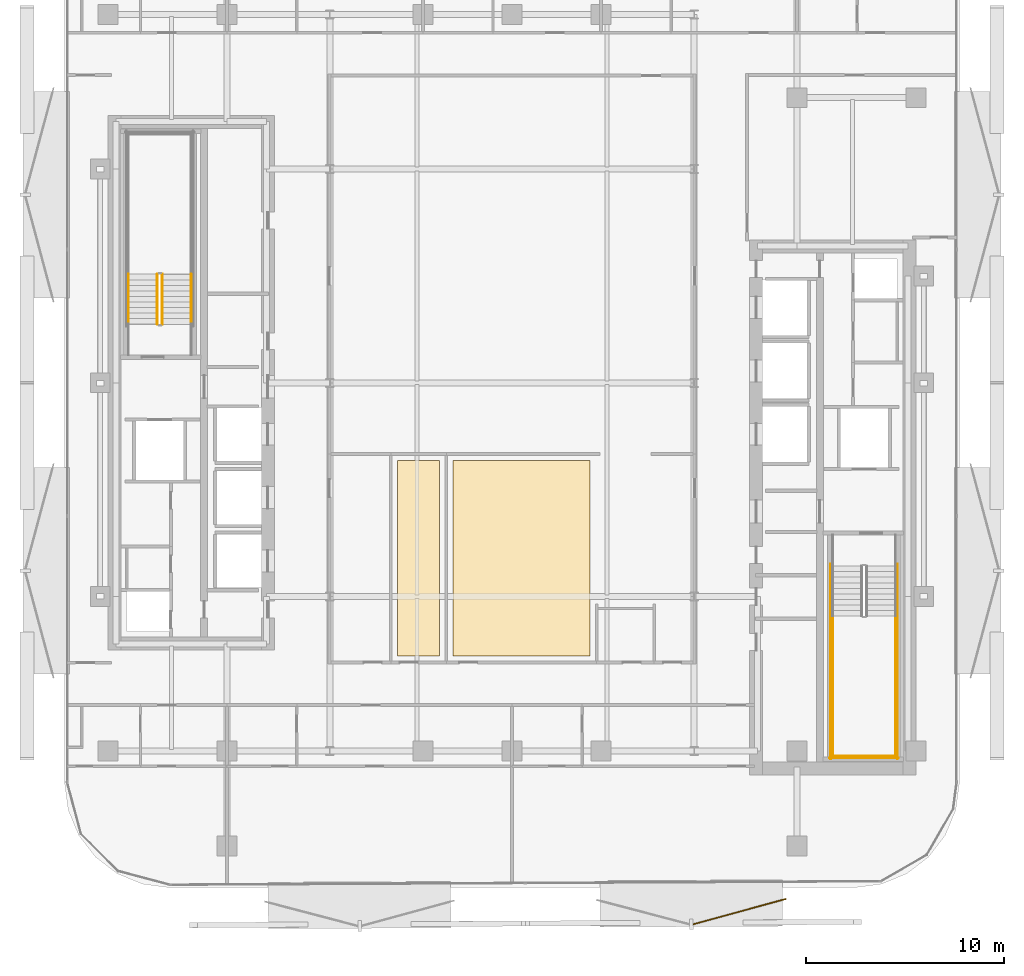
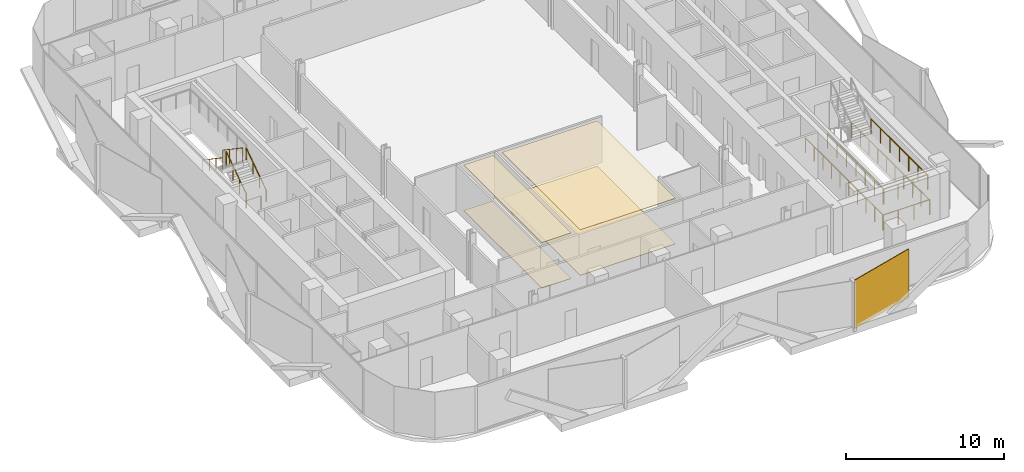
# One storey, part 14 of 17: 10 railings, 5 coverings.
"""IFC4 building model written with IfcOpenShell, lengths in metres."""

from ifc_helpers import new_model, si_unit, direction, frame, origin, origin_2d, place, context, subcontext, project, spatial, polyline, rectangle, circle, outline, extrude, material, layer, layer_set, type_object, element, save


model = new_model("IFC4")

# Units and contexts
model_context = context("Model", 3, precision=1e-05, world=origin(), true_north=direction((0.0, 1.0)))
body_context = subcontext(model_context, "Body", "Model", "MODEL_VIEW")
ifc_project = project(units=[si_unit("LENGTHUNIT", "METRE"), si_unit("AREAUNIT", "SQUARE_METRE"), si_unit("VOLUMEUNIT", "CUBIC_METRE"), si_unit("PLANEANGLEUNIT", "RADIAN"), si_unit("MASSUNIT", "GRAM", prefix="KILO")], contexts=[model_context])

# Site, building, storey
site_placement = place(None, origin())
site = spatial("IfcSite", under=ifc_project, at=site_placement, CompositionType="ELEMENT")
building_placement = place(site_placement, origin())
building = spatial("IfcBuilding", under=site, at=building_placement, Name="Khairoan Windgate Tower", CompositionType="ELEMENT")
storey_placement = place(building_placement, frame((0.0, 0.0, 168.800048828125)))
storey = spatial("IfcBuildingStorey", under=building, at=storey_placement, Name="L38", CompositionType="ELEMENT", Elevation=168.800048828125)

# Coverings
ifc_material_1 = material(Name="Engineered Teak Timber", Category="wood")
ifc_layer_1 = layer(ifc_material_1, 0.0400390625, Name="Engineered Teak Timber")
ifc_layer_set_1 = layer_set([ifc_layer_1], Name="Engineered Teak Timber")
covering_type_1 = type_object("IfcCoveringType", Name="Engineered Teak Residence Flooring", PredefinedType="FLOORING", material=ifc_layer_set_1)
covering_1_placement = place(storey_placement, origin())
element("IfcCovering", 1, at=covering_1_placement, inside=storey, type_object=covering_type_1, Name="L38 L38 Hotel Valet Office Finish Flooring", PredefinedType="FLOORING", context=body_context, shape_type="SweptSolid", body=[
    extrude(outline(polyline([(-5.7900390625, -3.929931640625), (-3.64990234375, -3.929931640625), (-3.64990234375, -13.7900390625), (-5.7900390625, -13.7900390625), (-5.7900390625, -3.929931640625)])), origin(), (0.0, 0.0, 1.0), 0.0400390625),
])
covering_2_placement = place(storey_placement, origin())
element("IfcCovering", 2, at=covering_2_placement, inside=storey, type_object=covering_type_1, Name="L38 L38 Room-Service Culinary Kitchen Finish Flooring", PredefinedType="FLOORING", context=body_context, shape_type="SweptSolid", body=[
    extrude(outline(polyline([(-2.989990234375, -3.929931640625), (3.949951171875, -3.929931640625), (3.949951171875, -13.7900390625), (-2.989990234375, -13.7900390625), (-2.989990234375, -3.929931640625)])), origin(), (0.0, 0.0, 1.0), 0.0400390625),
])
ifc_material_2 = material(Name="Acoustic Mineral Fibre Ceiling", Category="gypsum")
ifc_layer_2 = layer(ifc_material_2, 0.0400390625, Name="Acoustic Mineral Fibre Ceiling")
ifc_layer_set_2 = layer_set([ifc_layer_2], Name="Acoustic Mineral Fibre Ceiling")
covering_type_2 = type_object("IfcCoveringType", Name="Flush Acoustic Mineral Ceiling Panel", PredefinedType="CEILING", material=ifc_layer_set_2)
covering_3_placement = place(storey_placement, frame((0.0, 0.0, 3.5)))
element("IfcCovering", 3, at=covering_3_placement, inside=storey, type_object=covering_type_2, Name="L38 L38 Hotel Valet Office Acoustic Ceiling", PredefinedType="CEILING", context=body_context, shape_type="SweptSolid", body=[
    extrude(outline(polyline([(-5.7900390625, -3.929931640625), (-3.64990234375, -3.929931640625), (-3.64990234375, -13.7900390625), (-5.7900390625, -13.7900390625), (-5.7900390625, -3.929931640625)])), origin(), (0.0, 0.0, 1.0), 0.0400390625),
])
covering_4_placement = place(storey_placement, frame((0.0, 0.0, 3.5)))
element("IfcCovering", 4, at=covering_4_placement, inside=storey, type_object=covering_type_2, Name="L38 L38 Room-Service Culinary Kitchen Acoustic Ceiling", PredefinedType="CEILING", context=body_context, shape_type="SweptSolid", body=[
    extrude(outline(polyline([(-2.989990234375, -3.929931640625), (3.949951171875, -3.929931640625), (3.949951171875, -13.7900390625), (-2.989990234375, -13.7900390625), (-2.989990234375, -3.929931640625)])), origin(), (0.0, 0.0, 1.0), 0.0400390625),
])
ifc_material_3 = material(Name="Anodised Bronze Aluminium 6063-T6", Category="aluminium")
ifc_layer_3 = layer(ifc_material_3, 0.054931640625, Name="Anodised Bronze Aluminium 6063-T6")
ifc_layer_set_3 = layer_set([ifc_layer_3], Name="Anodised Bronze Aluminium 6063-T6")
covering_type_3 = type_object("IfcCoveringType", Name="Perforated Bronze-Ceramic Folded Solar Screen Cladding BSC-1", PredefinedType="CLADDING", material=ifc_layer_set_3)
covering_5_placement = place(storey_placement, frame((11.498779296875, -26.708984375, -0.10009765625), z_axis=(0.0, 0.0, 1.0), x_axis=(-0.964649468762, -0.263536339841, 0.0)))
element("IfcCovering", 5, at=covering_5_placement, inside=storey, type_object=covering_type_3, Name="L38 Folded Bronze Solar Screen Facet 241L", PredefinedType="CLADDING", context=body_context, shape_type="SweptSolid", body=[
    extrude(rectangle(XDim=4.861083984375, YDim=0.054931640625, at=origin_2d()), origin(), (0.0, 0.0, 1.0), 3.739990234375),
])

# Railings
ifc_material_4 = material(Name="Anodised Bronze Aluminium 6063-T6", Category="aluminium")
railing_type_1 = type_object("IfcRailingType", Name="Stair Wall Handrail SHR-900", PredefinedType="HANDRAIL", material=ifc_material_4)
railing_1_placement = place(storey_placement, frame((-16.199951171875, 2.9599609375, 0.18994140625)))
element("IfcRailing", 6, at=railing_1_placement, inside=storey, type_object=railing_type_1, Name="L38 ST2 stair handrail 1", PredefinedType="HANDRAIL", context=body_context, shape_type="SweptSolid", body=[
    extrude(circle(Radius=0.02392578125, at=origin_2d()), frame((0.0, 0.0, 0.8759765625), z_axis=(0.0, 0.827483756001, 0.561489655786), x_axis=(-1.0, 0.0, 0.0)), (0.0, 0.0, 1.0), 3.04541015625),
    extrude(circle(Radius=0.02099609375, at=origin_2d()), origin(), (0.0, 0.0, 1.0), 0.851806640625),
    extrude(circle(Radius=0.02099609375, at=origin_2d()), frame((0.0, 0.840087890625, 0.570068359375)), (0.0, 0.0, 1.0), 0.851806640625),
    extrude(circle(Radius=0.02099609375, at=origin_2d()), frame((0.0, 1.679931640625, 1.139892578125)), (0.0, 0.0, 1.0), 0.851806640625),
    extrude(circle(Radius=0.02099609375, at=origin_2d()), frame((0.0, 2.52001953125, 1.7099609375)), (0.0, 0.0, 1.0), 0.851806640625),
])
railing_2_placement = place(storey_placement, frame((-19.3701171875, 5.47998046875, 2.08984375)))
element("IfcRailing", 7, at=railing_2_placement, inside=storey, type_object=railing_type_1, Name="L38 ST2 stair handrail 2", PredefinedType="HANDRAIL", context=body_context, shape_type="SweptSolid", body=[
    extrude(circle(Radius=0.02392578125, at=origin_2d()), frame((0.0, 0.0, 0.8759765625), z_axis=(0.0, -0.82744650838, 0.561544544778), x_axis=(1.0, 0.0, 0.0)), (0.0, 0.0, 1.0), 3.045654296875),
    extrude(circle(Radius=0.02099609375, at=origin_2d()), origin(), (0.0, 0.0, 1.0), 0.851806640625),
    extrude(circle(Radius=0.02099609375, at=origin_2d()), frame((0.0, -0.840087890625, 0.570068359375)), (0.0, 0.0, 1.0), 0.851806640625),
    extrude(circle(Radius=0.02099609375, at=origin_2d()), frame((0.0, -1.679931640625, 1.14013671875)), (0.0, 0.0, 1.0), 0.851806640625),
    extrude(circle(Radius=0.02099609375, at=origin_2d()), frame((0.0, -2.52001953125, 1.710205078125)), (0.0, 0.0, 1.0), 0.851806640625),
])
ifc_material_5 = material(Name="Steel S355", Category="steel")
railing_type_2 = type_object("IfcRailingType", Name="Stairwell Safety Guardrail SGR-1150", PredefinedType="GUARDRAIL", material=ifc_material_5)
for number, where, name in (
    (8, (16.199951171875, -11.780029296875, 1.89990234375), "L38 ST1 stair guard 3"),
    (9, (19.3701171875, -11.780029296875, 1.89990234375), "L38 ST1 stair guard 4"),
):
    element("IfcRailing", number, at=place(storey_placement, frame(where)), inside=storey, type_object=railing_type_2, Name=name, PredefinedType="GUARDRAIL", context=body_context, shape_type="SweptSolid", body=[
        extrude(circle(Radius=0.02392578125, at=origin_2d()), frame((0.0, 0.0, 1.1259765625), z_axis=(0.0, -1.0, 0.0), x_axis=(1.0, 0.0, 0.0)), (0.0, 0.0, 1.0), 7.119873046875),
        extrude(circle(Radius=0.02099609375, at=origin_2d()), origin(), (0.0, 0.0, 1.0), 1.101806640625),
        extrude(circle(Radius=0.02099609375, at=origin_2d()), frame((0.0, -1.1865234375, 0.0)), (0.0, 0.0, 1.0), 1.101806640625),
        extrude(circle(Radius=0.02099609375, at=origin_2d()), frame((0.0, -2.373291015625, 0.0)), (0.0, 0.0, 1.0), 1.101806640625),
        extrude(circle(Radius=0.02099609375, at=origin_2d()), frame((0.0, -3.56005859375, 0.0)), (0.0, 0.0, 1.0), 1.101806640625),
        extrude(circle(Radius=0.02099609375, at=origin_2d()), frame((0.0, -4.74658203125, 0.0)), (0.0, 0.0, 1.0), 1.101806640625),
        extrude(circle(Radius=0.02099609375, at=origin_2d()), frame((0.0, -5.93310546875, 0.0)), (0.0, 0.0, 1.0), 1.101806640625),
        extrude(circle(Radius=0.02099609375, at=origin_2d()), frame((0.0, -7.119873046875, 0.0)), (0.0, 0.0, 1.0), 1.101806640625),
    ])
railing_3_placement = place(storey_placement, frame((16.14990234375, -18.85009765625, 1.89990234375)))
element("IfcRailing", 10, at=railing_3_placement, inside=storey, type_object=railing_type_2, Name="L38 ST1 stair guard 5", PredefinedType="GUARDRAIL", context=body_context, shape_type="SweptSolid", body=[
    extrude(circle(Radius=0.02392578125, at=origin_2d()), frame((0.0, 0.0, 1.1259765625), z_axis=(1.0, 0.0, 0.0), x_axis=(0.0, 1.0, 0.0)), (0.0, 0.0, 1.0), 3.27001953125),
    extrude(circle(Radius=0.02099609375, at=origin_2d()), origin(), (0.0, 0.0, 1.0), 1.101806640625),
    extrude(circle(Radius=0.02099609375, at=origin_2d()), frame((1.090087890625, 0.0, 0.0)), (0.0, 0.0, 1.0), 1.101806640625),
    extrude(circle(Radius=0.02099609375, at=origin_2d()), frame((2.179931640625, 0.0, 0.0)), (0.0, 0.0, 1.0), 1.101806640625),
    extrude(circle(Radius=0.02099609375, at=origin_2d()), frame((3.27001953125, 0.0, 0.0)), (0.0, 0.0, 1.0), 1.101806640625),
])
for number, where, name in (
    (11, (16.10009765625, -9.159912109375, 0.0), "L38 ST1 stair guard 10"),
    (12, (19.469970703125, -9.159912109375, 0.0), "L38 ST1 stair guard 11"),
):
    element("IfcRailing", number, at=place(storey_placement, frame(where)), inside=storey, type_object=railing_type_2, Name=name, PredefinedType="GUARDRAIL", context=body_context, shape_type="SweptSolid", body=[
        extrude(circle(Radius=0.02392578125, at=origin_2d()), frame((0.0, 0.0, 1.1259765625), z_axis=(0.0, -1.0, 0.0), x_axis=(1.0, 0.0, 0.0)), (0.0, 0.0, 1.0), 9.840087890625),
        extrude(circle(Radius=0.02099609375, at=origin_2d()), origin(), (0.0, 0.0, 1.0), 1.101806640625),
        extrude(circle(Radius=0.02099609375, at=origin_2d()), frame((0.0, -1.09326171875, 0.0)), (0.0, 0.0, 1.0), 1.101806640625),
        extrude(circle(Radius=0.02099609375, at=origin_2d()), frame((0.0, -2.186767578125, 0.0)), (0.0, 0.0, 1.0), 1.101806640625),
        extrude(circle(Radius=0.02099609375, at=origin_2d()), frame((0.0, -3.280029296875, 0.0)), (0.0, 0.0, 1.0), 1.101806640625),
        extrude(circle(Radius=0.02099609375, at=origin_2d()), frame((0.0, -4.373291015625, 0.0)), (0.0, 0.0, 1.0), 1.101806640625),
        extrude(circle(Radius=0.02099609375, at=origin_2d()), frame((0.0, -5.466796875, 0.0)), (0.0, 0.0, 1.0), 1.101806640625),
        extrude(circle(Radius=0.02099609375, at=origin_2d()), frame((0.0, -6.56005859375, 0.0)), (0.0, 0.0, 1.0), 1.101806640625),
        extrude(circle(Radius=0.02099609375, at=origin_2d()), frame((0.0, -7.6533203125, 0.0)), (0.0, 0.0, 1.0), 1.101806640625),
        extrude(circle(Radius=0.02099609375, at=origin_2d()), frame((0.0, -8.746826171875, 0.0)), (0.0, 0.0, 1.0), 1.101806640625),
        extrude(circle(Radius=0.02099609375, at=origin_2d()), frame((0.0, -9.840087890625, 0.0)), (0.0, 0.0, 1.0), 1.101806640625),
    ])
railing_4_placement = place(storey_placement, frame((16.050048828125, -18.949951171875, 0.0)))
element("IfcRailing", 13, at=railing_4_placement, inside=storey, type_object=railing_type_2, Name="L38 ST1 stair guard 12", PredefinedType="GUARDRAIL", context=body_context, shape_type="SweptSolid", body=[
    extrude(circle(Radius=0.02392578125, at=origin_2d()), frame((0.0, 0.0, 1.1259765625), z_axis=(1.0, 0.0, 0.0), x_axis=(0.0, 1.0, 0.0)), (0.0, 0.0, 1.0), 3.469970703125),
    extrude(circle(Radius=0.02099609375, at=origin_2d()), origin(), (0.0, 0.0, 1.0), 1.101806640625),
    extrude(circle(Radius=0.02099609375, at=origin_2d()), frame((1.15673828125, 0.0, 0.0)), (0.0, 0.0, 1.0), 1.101806640625),
    extrude(circle(Radius=0.02099609375, at=origin_2d()), frame((2.313232421875, 0.0, 0.0)), (0.0, 0.0, 1.0), 1.101806640625),
    extrude(circle(Radius=0.02099609375, at=origin_2d()), frame((3.469970703125, 0.0, 0.0)), (0.0, 0.0, 1.0), 1.101806640625),
])
railing_5_placement = place(storey_placement, frame((-17.659912109375, 2.9599609375, 0.18994140625)))
element("IfcRailing", 14, at=railing_5_placement, inside=storey, type_object=railing_type_2, Name="L38 ST2 stair guard 1", PredefinedType="GUARDRAIL", context=body_context, shape_type="SweptSolid", body=[
    extrude(circle(Radius=0.02392578125, at=origin_2d()), frame((0.0, 0.0, 1.1259765625), z_axis=(0.0, 0.827483756001, 0.561489655786), x_axis=(-1.0, 0.0, 0.0)), (0.0, 0.0, 1.0), 3.04541015625),
    extrude(circle(Radius=0.02099609375, at=origin_2d()), origin(), (0.0, 0.0, 1.0), 1.101806640625),
    extrude(circle(Radius=0.02099609375, at=origin_2d()), frame((0.0, 0.840087890625, 0.570068359375)), (0.0, 0.0, 1.0), 1.101806640625),
    extrude(circle(Radius=0.02099609375, at=origin_2d()), frame((0.0, 1.679931640625, 1.139892578125)), (0.0, 0.0, 1.0), 1.101806640625),
    extrude(circle(Radius=0.02099609375, at=origin_2d()), frame((0.0, 2.52001953125, 1.7099609375)), (0.0, 0.0, 1.0), 1.101806640625),
])
railing_6_placement = place(storey_placement, frame((-17.909912109375, 5.47998046875, 2.08984375)))
element("IfcRailing", 15, at=railing_6_placement, inside=storey, type_object=railing_type_2, Name="L38 ST2 stair guard 6", PredefinedType="GUARDRAIL", context=body_context, shape_type="SweptSolid", body=[
    extrude(circle(Radius=0.02392578125, at=origin_2d()), frame((0.0, 0.0, 1.1259765625), z_axis=(0.0, -0.82744650838, 0.561544544778), x_axis=(1.0, 0.0, 0.0)), (0.0, 0.0, 1.0), 3.045654296875),
    extrude(circle(Radius=0.02099609375, at=origin_2d()), origin(), (0.0, 0.0, 1.0), 1.101806640625),
    extrude(circle(Radius=0.02099609375, at=origin_2d()), frame((0.0, -0.840087890625, 0.570068359375)), (0.0, 0.0, 1.0), 1.101806640625),
    extrude(circle(Radius=0.02099609375, at=origin_2d()), frame((0.0, -1.679931640625, 1.14013671875)), (0.0, 0.0, 1.0), 1.101806640625),
    extrude(circle(Radius=0.02099609375, at=origin_2d()), frame((0.0, -2.52001953125, 1.710205078125)), (0.0, 0.0, 1.0), 1.101806640625),
])

save(model, "model.ifc")
